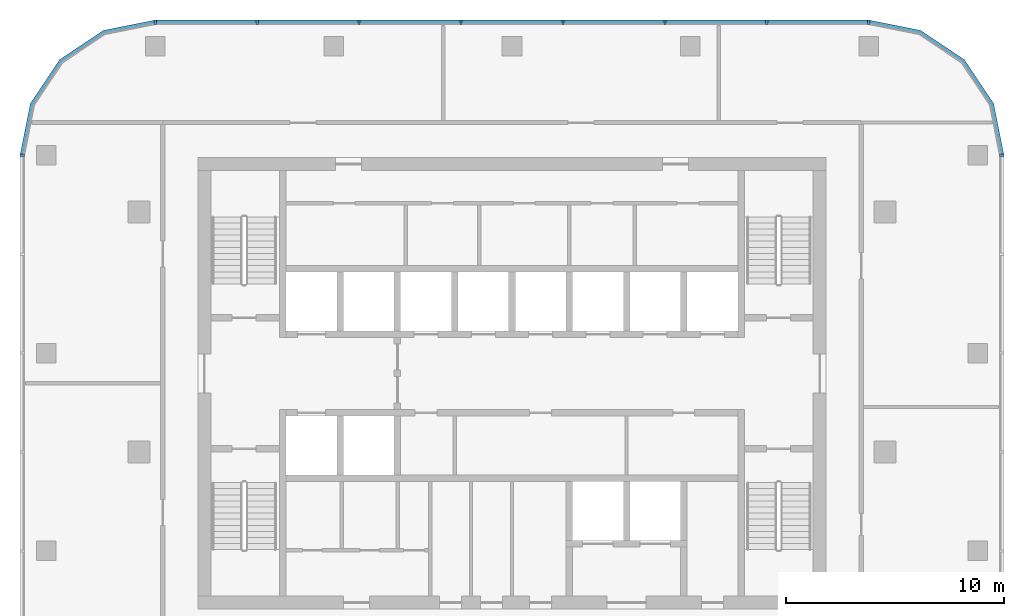
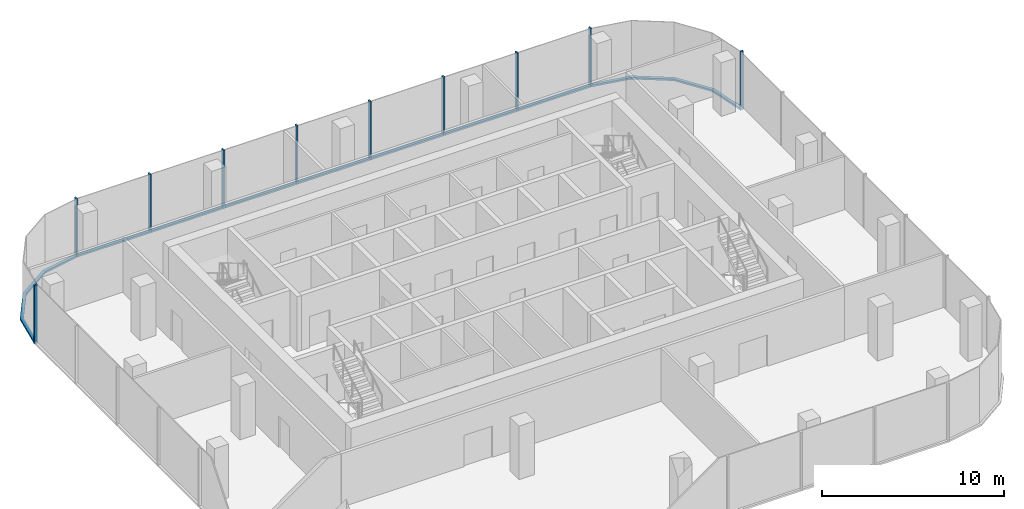
# One storey, part 4 of 9: 19 members, 5 elements without a shape of their own.
"""IFC4 building model written with IfcOpenShell, lengths in metres."""

from ifc_helpers import new_model, si_unit, direction, frame, origin, origin_2d, place, context, subcontext, project, spatial, polyline, rectangle, outline, extrude, material, material_profile, profile_set, type_object, element, aggregate, save


model = new_model("IFC4")

# Units and contexts
model_context = context("Model", 3, precision=1e-05, world=origin(), true_north=direction((0.0, 1.0)))
body_context = subcontext(model_context, "Body", "Model", "MODEL_VIEW")
ifc_project = project(units=[si_unit("LENGTHUNIT", "METRE"), si_unit("AREAUNIT", "SQUARE_METRE"), si_unit("VOLUMEUNIT", "CUBIC_METRE"), si_unit("PLANEANGLEUNIT", "RADIAN"), si_unit("MASSUNIT", "GRAM", prefix="KILO")], contexts=[model_context])

# Site, building, storey
site_placement = place(None, origin())
site = spatial("IfcSite", under=ifc_project, at=site_placement, CompositionType="ELEMENT")
building_placement = place(site_placement, origin())
building = spatial("IfcBuilding", under=site, at=building_placement, Name="Mopane Tessera Tower", CompositionType="ELEMENT")
storey_placement = place(building_placement, frame((0.0, 0.0, 353.39990234375)))
storey = spatial("IfcBuildingStorey", under=building, at=storey_placement, Name="L77", CompositionType="ELEMENT", Elevation=353.39990234375)

# Curtain wall, member
ifc_material_1 = material(Name="Aluminium frame", Category="aluminium")
curtain_wall_type = type_object("IfcCurtainWallType", Name="Unitised curtain wall", PredefinedType="NOTDEFINED", material=ifc_material_1)
curtain_wall_1_placement = place(storey_placement, origin())
curtain_wall_1 = element("IfcCurtainWall", 1, at=curtain_wall_1_placement, inside=storey, type_object=curtain_wall_type, Name="e:cw:L77:E:0", PredefinedType="NOTDEFINED")
ifc_material_2 = material(Name="Aluminium frame", Category="aluminium")
ifc_material_profile_1 = material_profile(ifc_material_2, rectangle(XDim=0.10009765625, YDim=0.199951171875, at=origin_2d()))
ifc_profile_set_1 = profile_set([ifc_material_profile_1], Name="Aluminium frame")
member_type_1 = type_object("IfcMemberType", Name="Aluminium mullion 100 x 200", PredefinedType="MULLION", material=ifc_profile_set_1)
member_1_placement = place(storey_placement, frame((22.449951171875, 13.60009765625, -0.349853515625), z_axis=(0.0, 0.0, 1.0), x_axis=(0.0, 1.0, 0.0)))
member_1 = element("IfcMember", 2, at=member_1_placement, type_object=member_type_1, Name="e:cw:L77:E:0:mu6", PredefinedType="MULLION", context=body_context, shape_type="SweptSolid", body=[
    extrude(rectangle(XDim=0.10009765625, YDim=0.199951171875, at=origin_2d()), origin(), (0.0, 0.0, 1.0), 3.949951171875),
])
aggregate(curtain_wall_1, [member_1])

# Curtain wall, members
curtain_wall_2_placement = place(storey_placement, origin())
curtain_wall_2 = element("IfcCurtainWall", 3, at=curtain_wall_2_placement, inside=storey, type_object=curtain_wall_type, Name="e:cw:L77:N:0", PredefinedType="NOTDEFINED")
member_2_placement = place(storey_placement, frame((16.35009765625, 19.699951171875, -0.349853515625), z_axis=(0.0, 0.0, 1.0), x_axis=(-1.0, 0.0, 0.0)))
member_2 = element("IfcMember", 4, at=member_2_placement, type_object=member_type_1, Name="e:cw:L77:N:0:mu0", PredefinedType="MULLION", context=body_context, shape_type="SweptSolid", body=[
    extrude(rectangle(XDim=0.10009765625, YDim=0.199951171875, at=origin_2d()), origin(), (0.0, 0.0, 1.0), 3.949951171875),
])
member_3_placement = place(storey_placement, frame((11.678466796875, 19.699951171875, -0.349853515625), z_axis=(0.0, 0.0, 1.0), x_axis=(-1.0, 0.0, 0.0)))
member_3 = element("IfcMember", 5, at=member_3_placement, type_object=member_type_1, Name="e:cw:L77:N:0:mu1", PredefinedType="MULLION", context=body_context, shape_type="SweptSolid", body=[
    extrude(rectangle(XDim=0.10009765625, YDim=0.199951171875, at=origin_2d()), origin(), (0.0, 0.0, 1.0), 3.949951171875),
])
member_4_placement = place(storey_placement, frame((7.007080078125, 19.699951171875, -0.349853515625), z_axis=(0.0, 0.0, 1.0), x_axis=(-1.0, 0.0, 0.0)))
member_4 = element("IfcMember", 6, at=member_4_placement, type_object=member_type_1, Name="e:cw:L77:N:0:mu2", PredefinedType="MULLION", context=body_context, shape_type="SweptSolid", body=[
    extrude(rectangle(XDim=0.10009765625, YDim=0.199951171875, at=origin_2d()), origin(), (0.0, 0.0, 1.0), 3.949951171875),
])
member_5_placement = place(storey_placement, frame((2.335693359375, 19.699951171875, -0.349853515625), z_axis=(0.0, 0.0, 1.0), x_axis=(-1.0, 0.0, 0.0)))
member_5 = element("IfcMember", 7, at=member_5_placement, type_object=member_type_1, Name="e:cw:L77:N:0:mu3", PredefinedType="MULLION", context=body_context, shape_type="SweptSolid", body=[
    extrude(rectangle(XDim=0.10009765625, YDim=0.199951171875, at=origin_2d()), origin(), (0.0, 0.0, 1.0), 3.949951171875),
])
member_6_placement = place(storey_placement, frame((-2.335693359375, 19.699951171875, -0.349853515625), z_axis=(0.0, 0.0, 1.0), x_axis=(-1.0, 0.0, 0.0)))
member_6 = element("IfcMember", 8, at=member_6_placement, type_object=member_type_1, Name="e:cw:L77:N:0:mu4", PredefinedType="MULLION", context=body_context, shape_type="SweptSolid", body=[
    extrude(rectangle(XDim=0.10009765625, YDim=0.199951171875, at=origin_2d()), origin(), (0.0, 0.0, 1.0), 3.949951171875),
])
member_7_placement = place(storey_placement, frame((-7.007080078125, 19.699951171875, -0.349853515625), z_axis=(0.0, 0.0, 1.0), x_axis=(-1.0, 0.0, 0.0)))
member_7 = element("IfcMember", 9, at=member_7_placement, type_object=member_type_1, Name="e:cw:L77:N:0:mu5", PredefinedType="MULLION", context=body_context, shape_type="SweptSolid", body=[
    extrude(rectangle(XDim=0.10009765625, YDim=0.199951171875, at=origin_2d()), origin(), (0.0, 0.0, 1.0), 3.949951171875),
])
member_8_placement = place(storey_placement, frame((-11.678466796875, 19.699951171875, -0.349853515625), z_axis=(0.0, 0.0, 1.0), x_axis=(-1.0, 0.0, 0.0)))
member_8 = element("IfcMember", 10, at=member_8_placement, type_object=member_type_1, Name="e:cw:L77:N:0:mu6", PredefinedType="MULLION", context=body_context, shape_type="SweptSolid", body=[
    extrude(rectangle(XDim=0.10009765625, YDim=0.199951171875, at=origin_2d()), origin(), (0.0, 0.0, 1.0), 3.949951171875),
])
member_9_placement = place(storey_placement, frame((-16.35009765625, 19.699951171875, -0.349853515625), z_axis=(0.0, 0.0, 1.0), x_axis=(-1.0, 0.0, 0.0)))
member_9 = element("IfcMember", 11, at=member_9_placement, type_object=member_type_1, Name="e:cw:L77:N:0:mu7", PredefinedType="MULLION", context=body_context, shape_type="SweptSolid", body=[
    extrude(rectangle(XDim=0.10009765625, YDim=0.199951171875, at=origin_2d()), origin(), (0.0, 0.0, 1.0), 3.949951171875),
])

# Curtain wall, member
curtain_wall_3_placement = place(storey_placement, origin())
curtain_wall_3 = element("IfcCurtainWall", 12, at=curtain_wall_3_placement, inside=storey, type_object=curtain_wall_type, Name="e:cw:L77:W:0", PredefinedType="NOTDEFINED")
member_10_placement = place(storey_placement, frame((-22.449951171875, 13.60009765625, -0.349853515625), z_axis=(0.0, 0.0, 1.0), x_axis=(0.0, -1.0, 0.0)))
member_10 = element("IfcMember", 13, at=member_10_placement, type_object=member_type_1, Name="e:cw:L77:W:0:mu0", PredefinedType="MULLION", context=body_context, shape_type="SweptSolid", body=[
    extrude(rectangle(XDim=0.10009765625, YDim=0.199951171875, at=origin_2d()), origin(), (0.0, 0.0, 1.0), 3.949951171875),
])
aggregate(curtain_wall_3, [member_10])

curtain_wall_4_placement = place(storey_placement, origin())
curtain_wall_4 = element("IfcCurtainWall", 14, at=curtain_wall_4_placement, inside=storey, type_object=curtain_wall_type, Name="e:cw:L77:CE", PredefinedType="NOTDEFINED")
ifc_material_3 = material(Name="Aluminium frame", Category="aluminium")
ifc_material_profile_2 = material_profile(ifc_material_3, rectangle(XDim=0.199951171875, YDim=0.1201171875, at=origin_2d()))
ifc_profile_set_2 = profile_set([ifc_material_profile_2], Name="Aluminium frame")
member_type_2 = type_object("IfcMemberType", Name="Aluminium transom 200 x 120", PredefinedType="USERDEFINED", material=ifc_profile_set_2)
member_11_placement = place(storey_placement, frame((0.0, 0.0, -0.349853515625)))
member_11 = element("IfcMember", 15, at=member_11_placement, type_object=member_type_2, Name="e:cw:L77:CE:tr", ObjectType="TRANSOM", PredefinedType="USERDEFINED", context=body_context, shape_type="SweptSolid", body=[
    extrude(outline(polyline([(22.35009765625, 13.60009765625), (21.893310546875, 15.89599609375), (20.592529296875, 17.842529296875), (18.64599609375, 19.143310546875), (16.35009765625, 19.60009765625), (16.35009765625, 19.800048828125), (18.72265625, 19.328125), (20.734130859375, 17.984130859375), (22.078125, 15.97265625), (22.550048828125, 13.60009765625), (22.35009765625, 13.60009765625)])), origin(), (0.0, 0.0, 1.0), 0.119873046875),
])
aggregate(curtain_wall_4, [member_11])

# Member
member_12_placement = place(storey_placement, frame((16.300048828125, 19.699951171875, -0.289794921875), z_axis=(-1.0, 0.0, 0.0), x_axis=(0.0, -1.0, 0.0)))
member_12 = element("IfcMember", 16, at=member_12_placement, type_object=member_type_2, Name="e:cw:L77:N:0:tr0", ObjectType="TRANSOM", PredefinedType="USERDEFINED", context=body_context, shape_type="SweptSolid", body=[
    extrude(rectangle(XDim=0.199951171875, YDim=0.1201171875, at=origin_2d()), origin(), (0.0, 0.0, 1.0), 4.571533203125),
])

member_13_placement = place(storey_placement, frame((11.628662109375, 19.699951171875, -0.289794921875), z_axis=(-1.0, 0.0, 0.0), x_axis=(0.0, -1.0, 0.0)))
member_13 = element("IfcMember", 17, at=member_13_placement, type_object=member_type_2, Name="e:cw:L77:N:0:tr1", ObjectType="TRANSOM", PredefinedType="USERDEFINED", context=body_context, shape_type="SweptSolid", body=[
    extrude(rectangle(XDim=0.199951171875, YDim=0.1201171875, at=origin_2d()), origin(), (0.0, 0.0, 1.0), 4.571533203125),
])

member_14_placement = place(storey_placement, frame((6.95703125, 19.699951171875, -0.289794921875), z_axis=(-1.0, 0.0, 0.0), x_axis=(0.0, -1.0, 0.0)))
member_14 = element("IfcMember", 18, at=member_14_placement, type_object=member_type_2, Name="e:cw:L77:N:0:tr2", ObjectType="TRANSOM", PredefinedType="USERDEFINED", context=body_context, shape_type="SweptSolid", body=[
    extrude(rectangle(XDim=0.199951171875, YDim=0.1201171875, at=origin_2d()), origin(), (0.0, 0.0, 1.0), 4.5712890625),
])

member_15_placement = place(storey_placement, frame((2.28564453125, 19.699951171875, -0.289794921875), z_axis=(-1.0, 0.0, 0.0), x_axis=(0.0, -1.0, 0.0)))
member_15 = element("IfcMember", 19, at=member_15_placement, type_object=member_type_2, Name="e:cw:L77:N:0:tr3", ObjectType="TRANSOM", PredefinedType="USERDEFINED", context=body_context, shape_type="SweptSolid", body=[
    extrude(rectangle(XDim=0.199951171875, YDim=0.1201171875, at=origin_2d()), origin(), (0.0, 0.0, 1.0), 4.5712890625),
])

member_16_placement = place(storey_placement, frame((-2.3857421875, 19.699951171875, -0.289794921875), z_axis=(-1.0, 0.0, 0.0), x_axis=(0.0, -1.0, 0.0)))
member_16 = element("IfcMember", 20, at=member_16_placement, type_object=member_type_2, Name="e:cw:L77:N:0:tr4", ObjectType="TRANSOM", PredefinedType="USERDEFINED", context=body_context, shape_type="SweptSolid", body=[
    extrude(rectangle(XDim=0.199951171875, YDim=0.1201171875, at=origin_2d()), origin(), (0.0, 0.0, 1.0), 4.5712890625),
])

member_17_placement = place(storey_placement, frame((-7.05712890625, 19.699951171875, -0.289794921875), z_axis=(-1.0, 0.0, 0.0), x_axis=(0.0, -1.0, 0.0)))
member_17 = element("IfcMember", 21, at=member_17_placement, type_object=member_type_2, Name="e:cw:L77:N:0:tr5", ObjectType="TRANSOM", PredefinedType="USERDEFINED", context=body_context, shape_type="SweptSolid", body=[
    extrude(rectangle(XDim=0.199951171875, YDim=0.1201171875, at=origin_2d()), origin(), (0.0, 0.0, 1.0), 4.571533203125),
])

member_18_placement = place(storey_placement, frame((-11.728515625, 19.699951171875, -0.289794921875), z_axis=(-1.0, 0.0, 0.0), x_axis=(0.0, -1.0, 0.0)))
member_18 = element("IfcMember", 22, at=member_18_placement, type_object=member_type_2, Name="e:cw:L77:N:0:tr6", ObjectType="TRANSOM", PredefinedType="USERDEFINED", context=body_context, shape_type="SweptSolid", body=[
    extrude(rectangle(XDim=0.199951171875, YDim=0.1201171875, at=origin_2d()), origin(), (0.0, 0.0, 1.0), 4.571533203125),
])

aggregate(curtain_wall_2, [member_2, member_3, member_4, member_5, member_6, member_7, member_8, member_9, member_12, member_13, member_14, member_15, member_16, member_17, member_18])

# Curtain wall, member
curtain_wall_5_placement = place(storey_placement, origin())
curtain_wall_5 = element("IfcCurtainWall", 23, at=curtain_wall_5_placement, inside=storey, type_object=curtain_wall_type, Name="e:cw:L77:CN", PredefinedType="NOTDEFINED")
member_19_placement = place(storey_placement, frame((0.0, 0.0, -0.349853515625)))
member_19 = element("IfcMember", 24, at=member_19_placement, type_object=member_type_2, Name="e:cw:L77:CN:tr", ObjectType="TRANSOM", PredefinedType="USERDEFINED", context=body_context, shape_type="SweptSolid", body=[
    extrude(outline(polyline([(-16.35009765625, 19.60009765625), (-18.64599609375, 19.143310546875), (-20.592529296875, 17.842529296875), (-21.893310546875, 15.89599609375), (-22.35009765625, 13.60009765625), (-22.550048828125, 13.60009765625), (-22.078125, 15.97265625), (-20.734130859375, 17.984130859375), (-18.72265625, 19.328125), (-16.35009765625, 19.800048828125), (-16.35009765625, 19.60009765625)])), origin(), (0.0, 0.0, 1.0), 0.119873046875),
])
aggregate(curtain_wall_5, [member_19])

save(model, "model.ifc")
